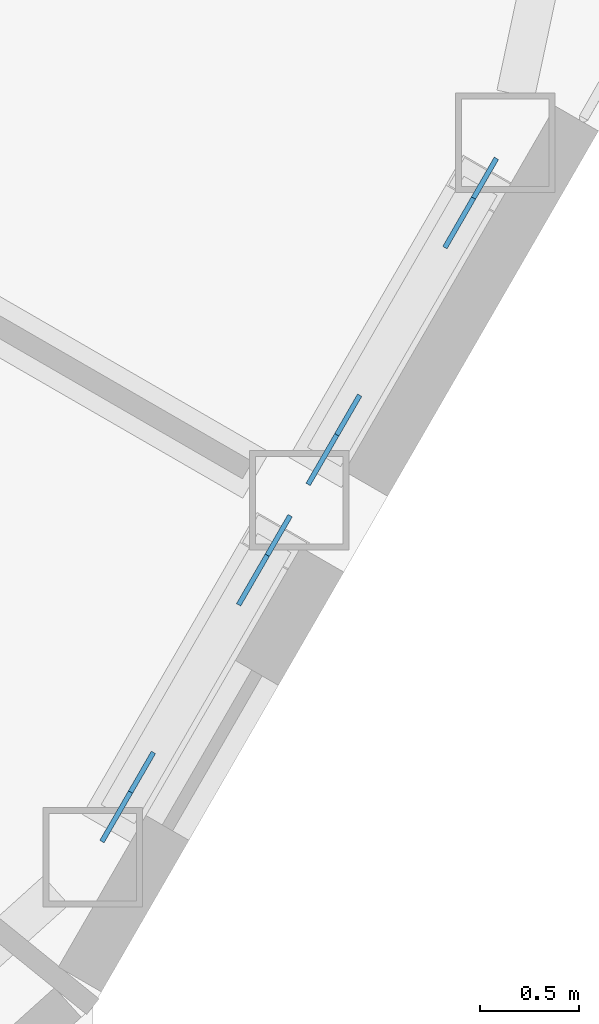
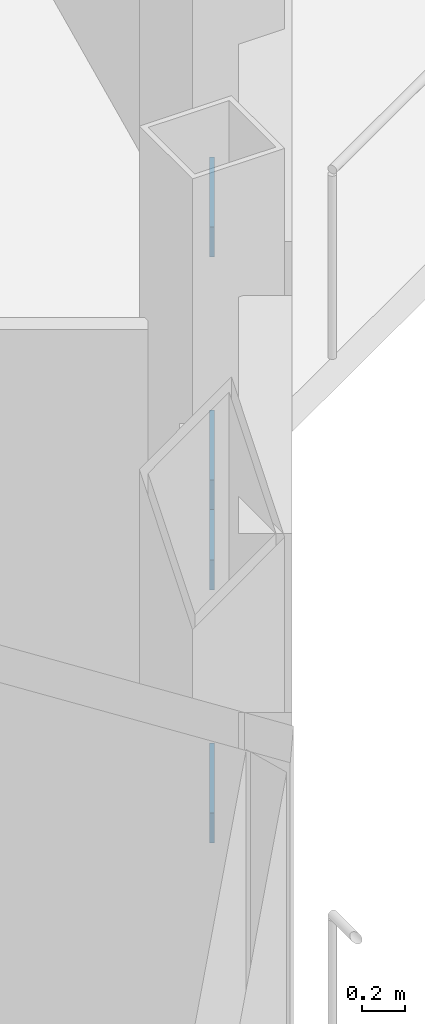
# One storey, part 19 of 26: 4 discrete accessories.
"""IFC4 building model written with IfcOpenShell, lengths in metres."""

from ifc_helpers import new_model, si_unit, direction, frame, origin, origin_2d, place, context, subcontext, project, spatial, rectangle, extrude, material, material_profile, profile_set, type_object, element, save


model = new_model("IFC4")

# Units and contexts
model_context = context("Model", 3, precision=1e-05, world=origin(), true_north=direction((0.0, 1.0)))
body_context = subcontext(model_context, "Body", "Model", "MODEL_VIEW")
ifc_project = project(units=[si_unit("LENGTHUNIT", "METRE"), si_unit("AREAUNIT", "SQUARE_METRE"), si_unit("VOLUMEUNIT", "CUBIC_METRE"), si_unit("PLANEANGLEUNIT", "RADIAN"), si_unit("MASSUNIT", "GRAM", prefix="KILO")], contexts=[model_context])

# Site, building, storey
site_placement = place(None, origin())
site = spatial("IfcSite", under=ifc_project, at=site_placement, CompositionType="ELEMENT")
building_placement = place(site_placement, origin())
building = spatial("IfcBuilding", under=site, at=building_placement, Name="Cormorant Prow Tower", CompositionType="ELEMENT")
storey_placement = place(building_placement, frame((0.0, 0.0, 367.800048828125)))
storey = spatial("IfcBuildingStorey", under=building, at=storey_placement, Name="L82", CompositionType="ELEMENT", Elevation=367.800048828125)

# Discrete accessories
ifc_material = material(Name="Structural steel ASTM A500 Gr C", Category="steel")
ifc_material_profile = material_profile(ifc_material, rectangle(XDim=0.02490234375, YDim=0.405029296875, at=origin_2d()), Name="Gusset plate 25x405")
ifc_profile_set = profile_set([ifc_material_profile], Name="Structural steel ASTM A500 Gr C")
discrete_accessory_type = type_object("IfcDiscreteAccessoryType", Name="Gusset plate 25x405", PredefinedType="BRACKET", material=ifc_profile_set)
for number, where, z_axis, x_axis, name in (
    (1, (26.246826171875, -16.978271484375, 0.941162109375), (-0.411595697368, -0.712269842394, -0.568560158228), (0.865832418869, -0.500334110806, 0.0), "Gusset plate GP3 L82.ESE00.g0"),
    (2, (26.7900390625, -16.037109375, 1.692626953125), (0.411595697368, 0.712269842394, 0.568560158228), (-0.865832418869, 0.500334110806, 0.0), "Gusset plate GP3 L82.ESE00.g1"),
    (3, (27.28369140625, -15.182373046875, 0.941162109375), (-0.411595697368, -0.712269842394, -0.568560158228), (0.865832418869, -0.500334110806, 0.0), "Gusset plate GP3 L82.ESE01.g0"),
    (4, (27.8271484375, -14.2412109375, 1.692626953125), (0.411016012482, 0.712474276306, 0.568723344945), (-0.866199709737, 0.499697971631, 0.0), "Gusset plate GP3 L82.ESE01.g1"),
):
    element("IfcDiscreteAccessory", number, at=place(storey_placement, frame(where, z_axis=z_axis, x_axis=x_axis)), inside=storey, type_object=discrete_accessory_type, Name=name, PredefinedType="BRACKET", context=body_context, shape_type="SweptSolid", body=[
        extrude(rectangle(XDim=0.02490234375, YDim=0.405029296875, at=origin_2d()), origin(), (0.0, 0.0, 1.0), 0.349853515625),
    ])

save(model, "model.ifc")
